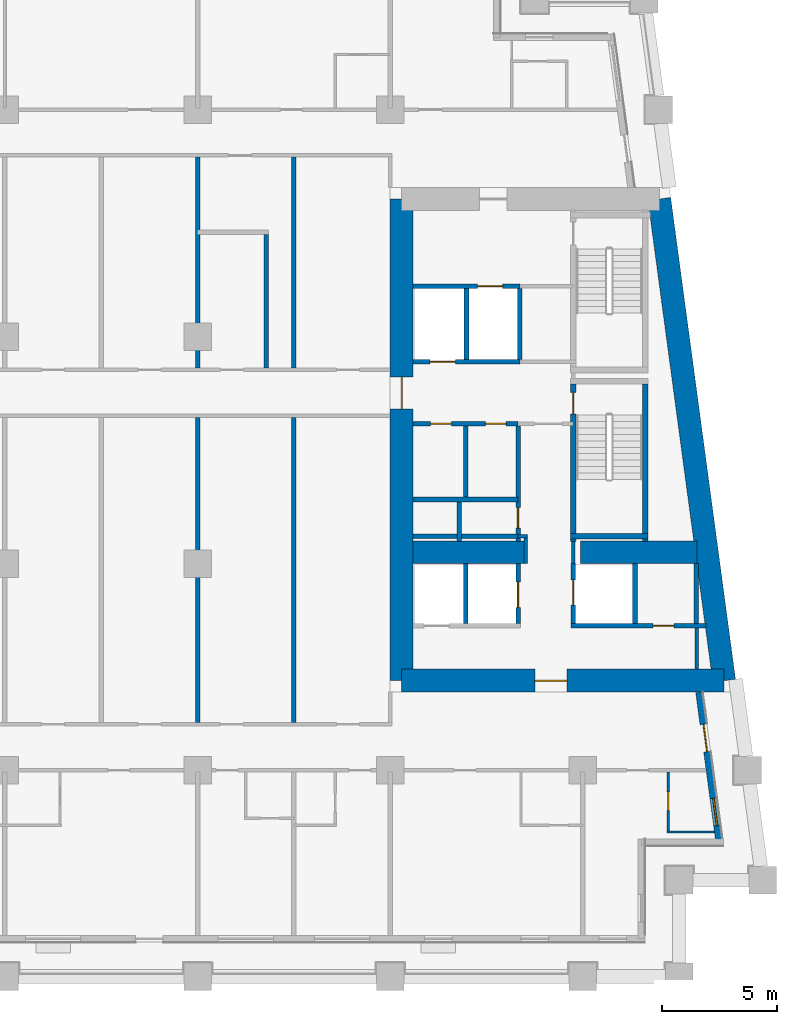
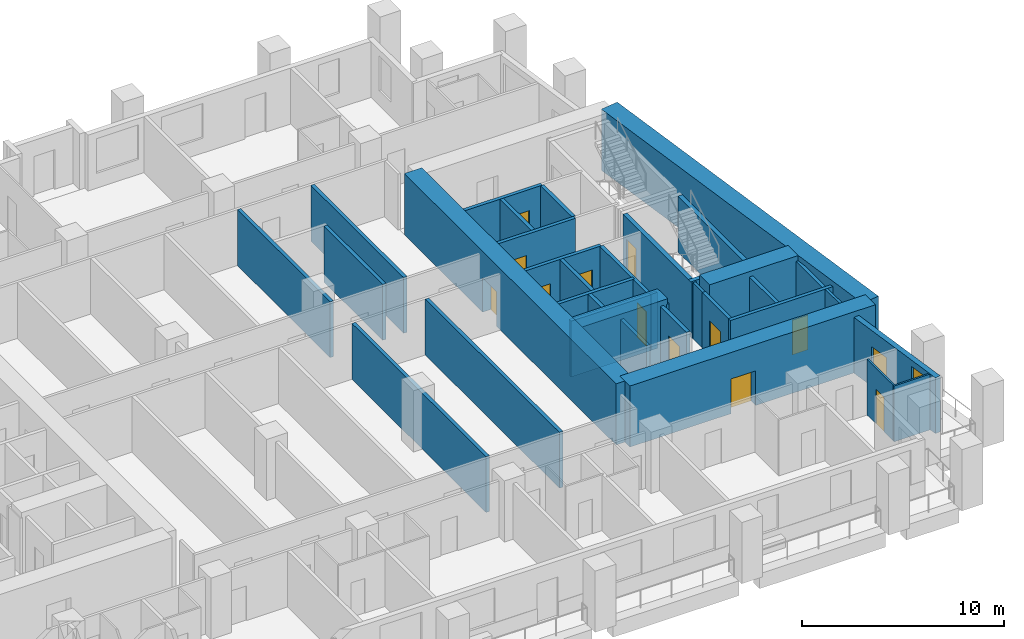
# One storey, part 5 of 13: 36 walls, 13 doors, 1 window, 14 openings.
"""IFC4 building model written with IfcOpenShell, lengths in metres."""

from ifc_helpers import new_model, si_unit, direction, frame, frame_2d, origin, place, context, subcontext, project, spatial, rectangle, extrude, material, layer, layer_set, type_object, element, fill, save


model = new_model("IFC4")

# Units and contexts
model_context = context("Model", 3, precision=1e-05, world=origin(), true_north=direction((0.0, 1.0)))
body_context = subcontext(model_context, "Body", "Model", "MODEL_VIEW")
ifc_project = project(units=[si_unit("LENGTHUNIT", "METRE"), si_unit("AREAUNIT", "SQUARE_METRE"), si_unit("VOLUMEUNIT", "CUBIC_METRE"), si_unit("PLANEANGLEUNIT", "RADIAN"), si_unit("MASSUNIT", "GRAM", prefix="KILO")], contexts=[model_context])

# Site, building, storey
site_placement = place(None, origin())
site = spatial("IfcSite", under=ifc_project, at=site_placement, CompositionType="ELEMENT")
building_placement = place(site_placement, origin())
building = spatial("IfcBuilding", under=site, at=building_placement, Name="Candeia Pilgrim Tower and Theatre", CompositionType="ELEMENT")
storey_placement = place(building_placement, frame((0.0, 0.0, 98.39990234375)))
storey = spatial("IfcBuildingStorey", under=building, at=storey_placement, Name="L22", CompositionType="ELEMENT", Elevation=98.39990234375)

# Wall
ifc_material_1 = material(Name="Concrete C70/85", Category="concrete")
ifc_layer_1 = layer(ifc_material_1, 1.0)
ifc_layer_set_1 = layer_set([ifc_layer_1], Name="Core wall 1000 C70/85")
wall_type_1 = type_object("IfcWallType", Name="Core wall 1000 C70/85", PredefinedType="SHEAR", material=ifc_layer_set_1)
wall_1_placement = place(storey_placement, frame((137.73193359375, 131.89990234375, 0.0), z_axis=(0.0, 0.0, 1.0), x_axis=(0.133411141623, -0.991060778808, 0.0)))
element("IfcWall", 1, at=wall_1_placement, inside=storey, type_object=wall_type_1, Name="Core wall E2", PredefinedType="SHEAR", context=body_context, shape_type="SweptSolid", body=[
    extrude(rectangle(XDim=21.189453125, YDim=1.0, at=frame_2d((10.5947265625, 0.0))), origin(), (0.0, 0.0, 1.0), 3.7001953125),
])

# Wall, opening, door
wall_2_placement = place(storey_placement, frame((140.558837890625, 110.89990234375, 0.0), z_axis=(0.0, 0.0, 1.0), x_axis=(-1.0, 0.0, 0.0)))
wall_2 = element("IfcWall", 2, at=wall_2_placement, inside=storey, type_object=wall_type_1, Name="Core wall E3", PredefinedType="SHEAR", context=body_context, shape_type="SweptSolid", body=[
    extrude(rectangle(XDim=14.058837890625, YDim=1.0, at=frame_2d((7.029296875, 0.0))), origin(), (0.0, 0.0, 1.0), 3.7001953125),
])
opening_1_placement = place(wall_2_placement, frame((6.857666015625, 0.0, 0.0)))
opening_1 = element("IfcOpeningElement", 3, at=opening_1_placement, cuts=wall_2, Name="Opening L22-D062", PredefinedType="OPENING", context=body_context, shape_type="SweptSolid", body=[
    extrude(rectangle(XDim=1.39990234375, YDim=2.10009765625, at=frame_2d((0.699951171875, 1.050048828125))), frame((0.0, 0.510009765625, 0.0), z_axis=(0.0, -1.0, 0.0), x_axis=(1.0, 0.0, 0.0)), (0.0, 0.0, 1.0), 1.02001953125),
])
ifc_material_2 = material(Name="Steel fire door set", Category="steel")
door_type_1 = type_object("IfcDoorType", Name="D-1400-FD60", OperationType="NOTDEFINED", PredefinedType="DOOR", material=ifc_material_2)
door_1_placement = place(opening_1_placement, origin())
door_1 = element("IfcDoor", 4, at=door_1_placement, inside=storey, type_object=door_type_1, Name="Door L22-D062", OperationType="SINGLE_SWING_RIGHT", OverallHeight=2.10009765625, OverallWidth=1.39990234375, PredefinedType="DOOR", context=body_context, shape_type="SweptSolid", body=[
    extrude(rectangle(XDim=1.39990234375, YDim=2.10009765625, at=frame_2d((0.699951171875, 1.050048828125))), frame((0.0, 0.02490234375, 0.0), z_axis=(0.0, -1.0, 0.0), x_axis=(1.0, 0.0, 0.0)), (0.0, 0.0, 1.0), 0.050048828125),
])
fill(opening_1, door_1)

wall_3_placement = place(storey_placement, frame((126.5, 110.89990234375, 0.0), z_axis=(0.0, 0.0, 1.0), x_axis=(0.0, 1.0, 0.0)))
wall_3 = element("IfcWall", 5, at=wall_3_placement, inside=storey, type_object=wall_type_1, Name="Core wall E4", PredefinedType="SHEAR", context=body_context, shape_type="SweptSolid", body=[
    extrude(rectangle(XDim=21.0, YDim=1.0, at=frame_2d((10.5, 0.0))), origin(), (0.0, 0.0, 1.0), 3.7001953125),
])
opening_2_placement = place(wall_3_placement, frame((11.85009765625, 0.0, 0.0)))
opening_2 = element("IfcOpeningElement", 6, at=opening_2_placement, cuts=wall_3, Name="Opening L22-D064", PredefinedType="OPENING", context=body_context, shape_type="SweptSolid", body=[
    extrude(rectangle(XDim=1.39990234375, YDim=2.10009765625, at=frame_2d((0.699951171875, 1.050048828125))), frame((0.0, 0.510009765625, 0.0), z_axis=(0.0, -1.0, 0.0), x_axis=(1.0, 0.0, 0.0)), (0.0, 0.0, 1.0), 1.02001953125),
])
door_2_placement = place(opening_2_placement, origin())
door_2 = element("IfcDoor", 7, at=door_2_placement, inside=storey, type_object=door_type_1, Name="Door L22-D064", OperationType="SINGLE_SWING_RIGHT", OverallHeight=2.10009765625, OverallWidth=1.39990234375, PredefinedType="DOOR", context=body_context, shape_type="SweptSolid", body=[
    extrude(rectangle(XDim=1.39990234375, YDim=2.10009765625, at=frame_2d((0.699951171875, 1.050048828125))), frame((0.0, 0.02490234375, 0.0), z_axis=(0.0, -1.0, 0.0), x_axis=(1.0, 0.0, 0.0)), (0.0, 0.0, 1.0), 0.050048828125),
])
fill(opening_2, door_2)

# Walls
wall_4_placement = place(storey_placement, frame((127.0, 116.5, 0.0), z_axis=(0.0, 0.0, 1.0), x_axis=(1.0, 0.0, 0.0)))
element("IfcWall", 8, at=wall_4_placement, inside=storey, type_object=wall_type_1, Name="Core wall E5", PredefinedType="SHEAR", context=body_context, shape_type="SweptSolid", body=[
    extrude(rectangle(XDim=4.89990234375, YDim=1.0, at=frame_2d((2.449951171875, 0.0))), origin(), (0.0, 0.0, 1.0), 3.7001953125),
])
wall_5_placement = place(storey_placement, frame((134.300048828125, 116.5, 0.0), z_axis=(0.0, 0.0, 1.0), x_axis=(1.0, 0.0, 0.0)))
element("IfcWall", 9, at=wall_5_placement, inside=storey, type_object=wall_type_1, Name="Core wall E6", PredefinedType="SHEAR", context=body_context, shape_type="SweptSolid", body=[
    extrude(rectangle(XDim=5.076904296875, YDim=1.0, at=frame_2d((2.53857421875, 0.0))), origin(), (0.0, 0.0, 1.0), 3.7001953125),
])

# Wall, openings, door, window
ifc_material_3 = material(Name="Ceramic block masonry", Category="masonry")
ifc_layer_2 = layer(ifc_material_3, 0.300048828125)
ifc_layer_set_2 = layer_set([ifc_layer_2], Name="EW1 glazing-line wall 300")
wall_type_2 = type_object("IfcWallType", Name="EW1 glazing-line wall 300", PredefinedType="SOLIDWALL", material=ifc_layer_set_2)
wall_6_placement = place(storey_placement, frame((140.34765625, 103.85009765625, 0.0), z_axis=(0.0, 0.0, 1.0), x_axis=(-0.133431549479, 0.991058031401, 0.0)))
wall_6 = element("IfcWall", 10, at=wall_6_placement, inside=storey, type_object=wall_type_2, Name="External wall L22-3.0", PredefinedType="SOLIDWALL", context=body_context, shape_type="SweptSolid", body=[
    extrude(rectangle(XDim=6.60888671875, YDim=0.300048828125, at=frame_2d((3.304443359375, 0.0))), origin(), (0.0, 0.0, 1.0), 3.380126953125),
])
opening_3_placement = place(wall_6_placement, frame((0.736572265625, 0.0, 0.89990234375)))
opening_3 = element("IfcOpeningElement", 11, at=opening_3_placement, cuts=wall_6, Name="Opening W-B", PredefinedType="OPENING", context=body_context, shape_type="SweptSolid", body=[
    extrude(rectangle(XDim=1.199951171875, YDim=2.10009765625, at=frame_2d((0.60009765625, 1.050048828125))), frame((0.0, 0.16015625, 0.0), z_axis=(0.0, -1.0, 0.0), x_axis=(1.0, 0.0, 0.0)), (0.0, 0.0, 1.0), 0.320068359375),
])
opening_4_placement = place(wall_6_placement, frame((3.990966796875, 0.0, 0.0)))
opening_4 = element("IfcOpeningElement", 12, at=opening_4_placement, cuts=wall_6, Name="Opening L22-ED226", PredefinedType="OPENING", context=body_context, shape_type="SweptSolid", body=[
    extrude(rectangle(XDim=1.199951171875, YDim=2.39990234375, at=frame_2d((0.60009765625, 1.199951171875))), frame((0.0, 0.16015625, 0.0), z_axis=(0.0, -1.0, 0.0), x_axis=(1.0, 0.0, 0.0)), (0.0, 0.0, 1.0), 0.320068359375),
])
ifc_material_4 = material(Name="Aluminium framed glazed door", Category="aluminium")
door_type_2 = type_object("IfcDoorType", Name="Loggia door 1200x2400", OperationType="DOUBLE_DOOR_SINGLE_SWING", PredefinedType="DOOR", material=ifc_material_4)
door_3_placement = place(opening_4_placement, origin())
door_3 = element("IfcDoor", 13, at=door_3_placement, inside=storey, type_object=door_type_2, Name="Loggia door L22-ED226", OperationType="DOUBLE_DOOR_SINGLE_SWING", OverallHeight=2.39990234375, OverallWidth=1.199951171875, PredefinedType="DOOR", context=body_context, shape_type="SweptSolid", body=[
    extrude(rectangle(XDim=1.199951171875, YDim=2.39990234375, at=frame_2d((0.60009765625, 1.199951171875))), frame((0.0, 0.02490234375, 0.0), z_axis=(0.0, -1.0, 0.0), x_axis=(1.0, 0.0, 0.0)), (0.0, 0.0, 1.0), 0.050048828125),
])
fill(opening_4, door_3)
ifc_material_5 = material(Name="Aluminium framed double glazing", Category="aluminium")
window_type = type_object("IfcWindowType", Name="W-B window 1200x2100", PartitioningType="SINGLE_PANEL", PredefinedType="WINDOW", material=ifc_material_5)
window_placement = place(opening_3_placement, origin())
window = element("IfcWindow", 14, at=window_placement, inside=storey, type_object=window_type, Name="Window W-B L22", OverallHeight=2.10009765625, OverallWidth=1.199951171875, PartitioningType="SINGLE_PANEL", PredefinedType="WINDOW", context=body_context, shape_type="SweptSolid", body=[
    extrude(rectangle(XDim=1.199951171875, YDim=2.10009765625, at=frame_2d((0.60009765625, 1.050048828125))), frame((0.0, 0.030029296875, 0.0), z_axis=(0.0, -1.0, 0.0), x_axis=(1.0, 0.0, 0.0)), (0.0, 0.0, 1.0), 0.06005859375),
])
fill(opening_3, window)

# Wall
ifc_material_6 = material(Name="Gypsum board partition on steel studs", Category="steel")
ifc_layer_3 = layer(ifc_material_6, 0.10009765625)
ifc_layer_set_3 = layer_set([ifc_layer_3], Name="PW-100 room partition")
wall_type_3 = type_object("IfcWallType", Name="PW-100 room partition", PredefinedType="PARTITIONING", material=ifc_layer_set_3)
wall_7_placement = place(storey_placement, frame((138.070068359375, 104.300048828125, 0.0), z_axis=(0.0, 0.0, 1.0), x_axis=(1.0, 0.0, 0.0)))
element("IfcWall", 15, at=wall_7_placement, inside=storey, type_object=wall_type_3, Name="Room partition L22-002", PredefinedType="PARTITIONING", context=body_context, shape_type="SweptSolid", body=[
    extrude(rectangle(XDim=2.07568359375, YDim=0.10009765625, at=frame_2d((1.037841796875, 0.0))), origin(), (0.0, 0.0, 1.0), 3.380126953125),
])

# Wall, opening, door
wall_8_placement = place(storey_placement, frame((138.1201171875, 104.35009765625, 0.0), z_axis=(0.0, 0.0, 1.0), x_axis=(0.0, 1.0, 0.0)))
wall_8 = element("IfcWall", 16, at=wall_8_placement, inside=storey, type_object=wall_type_3, Name="Room partition L22-123", PredefinedType="PARTITIONING", context=body_context, shape_type="SweptSolid", body=[
    extrude(rectangle(XDim=2.574951171875, YDim=0.10009765625, at=frame_2d((1.28759765625, 0.0))), origin(), (0.0, 0.0, 1.0), 3.380126953125),
])
opening_5_placement = place(wall_8_placement, frame((0.89990234375, 0.0, 0.0)))
opening_5 = element("IfcOpeningElement", 17, at=opening_5_placement, cuts=wall_8, Name="Opening L22-D033", PredefinedType="OPENING", context=body_context, shape_type="SweptSolid", body=[
    extrude(rectangle(XDim=0.800048828125, YDim=2.10009765625, at=frame_2d((0.39990234375, 1.050048828125))), frame((0.0, 0.06005859375, 0.0), z_axis=(0.0, -1.0, 0.0), x_axis=(1.0, 0.0, 0.0)), (0.0, 0.0, 1.0), 0.1201171875),
])
ifc_material_7 = material(Name="Timber door leaf", Category="wood")
door_type_3 = type_object("IfcDoorType", Name="D-800", OperationType="NOTDEFINED", PredefinedType="DOOR", material=ifc_material_7)
door_4_placement = place(opening_5_placement, origin())
door_4 = element("IfcDoor", 18, at=door_4_placement, inside=storey, type_object=door_type_3, Name="Door L22-D033", OperationType="SINGLE_SWING_LEFT", OverallHeight=2.10009765625, OverallWidth=0.800048828125, PredefinedType="DOOR", context=body_context, shape_type="SweptSolid", body=[
    extrude(rectangle(XDim=0.800048828125, YDim=2.10009765625, at=frame_2d((0.39990234375, 1.050048828125))), frame((0.0, 0.02490234375, 0.0), z_axis=(0.0, -1.0, 0.0), x_axis=(1.0, 0.0, 0.0)), (0.0, 0.0, 1.0), 0.050048828125),
])
fill(opening_5, door_4)

# Walls
ifc_layer_4 = layer(ifc_material_6, 0.14990234375)
ifc_layer_set_4 = layer_set([ifc_layer_4], Name="PW-150 lobby wall")
wall_type_4 = type_object("IfcWallType", Name="PW-150 lobby wall", PredefinedType="PARTITIONING", material=ifc_layer_set_4)
wall_9_placement = place(storey_placement, frame((131.572998046875, 117.199951171875, 0.0), z_axis=(0.0, 0.0, 1.0), x_axis=(1.0, 0.0, 0.0)))
element("IfcWall", 19, at=wall_9_placement, inside=storey, type_object=wall_type_4, Name="Lobby wall L22-018", PredefinedType="PARTITIONING", context=body_context, shape_type="SweptSolid", body=[
    extrude(rectangle(XDim=0.402099609375, YDim=0.14990234375, at=frame_2d((0.201171875, 0.0))), origin(), (0.0, 0.0, 1.0), 3.380126953125),
])
wall_10_placement = place(storey_placement, frame((131.89990234375, 116.0, 0.0), z_axis=(0.0, 0.0, 1.0), x_axis=(0.0, 1.0, 0.0)))
element("IfcWall", 20, at=wall_10_placement, inside=storey, type_object=wall_type_4, Name="Lobby wall L22-112", PredefinedType="PARTITIONING", context=body_context, shape_type="SweptSolid", body=[
    extrude(rectangle(XDim=1.125, YDim=0.14990234375, at=frame_2d((0.5625, 0.0))), origin(), (0.0, 0.0, 1.0), 3.380126953125),
])
wall_11_placement = place(storey_placement, frame((133.972900390625, 116.0, 0.0), z_axis=(0.0, 0.0, 1.0), x_axis=(0.0, 1.0, 0.0)))
element("IfcWall", 21, at=wall_11_placement, inside=storey, type_object=wall_type_4, Name="Lobby wall L22-115", PredefinedType="PARTITIONING", context=body_context, shape_type="SweptSolid", body=[
    extrude(rectangle(XDim=0.969970703125, YDim=0.14990234375, at=frame_2d((0.48486328125, 0.0))), origin(), (0.0, 0.0, 1.0), 3.380126953125),
])
wall_12_placement = place(storey_placement, frame((139.37109375, 111.39990234375, 0.0), z_axis=(0.0, 0.0, 1.0), x_axis=(0.0, 1.0, 0.0)))
element("IfcWall", 22, at=wall_12_placement, inside=storey, type_object=wall_type_4, Name="Lobby wall L22-125", PredefinedType="PARTITIONING", context=body_context, shape_type="SweptSolid", body=[
    extrude(rectangle(XDim=1.800048828125, YDim=0.14990234375, at=frame_2d((0.89990234375, 0.0))), origin(), (0.0, 0.0, 1.0), 3.380126953125),
])
ifc_layer_5 = layer(ifc_material_6, 0.199951171875)
ifc_layer_set_5 = layer_set([ifc_layer_5], Name="PW-200 party wall")
wall_type_5 = type_object("IfcWallType", Name="PW-200 party wall", PredefinedType="PARTITIONING", material=ifc_layer_set_5)
wall_13_placement = place(storey_placement, frame((117.60009765625, 109.074951171875, 0.0), z_axis=(0.0, 0.0, 1.0), x_axis=(0.0, 1.0, 0.0)))
element("IfcWall", 23, at=wall_13_placement, inside=storey, type_object=wall_type_5, Name="Party wall L22-089", PredefinedType="PARTITIONING", context=body_context, shape_type="SweptSolid", body=[
    extrude(rectangle(XDim=13.300048828125, YDim=0.199951171875, at=frame_2d((6.64990234375, 0.0))), origin(), (0.0, 0.0, 1.0), 3.380126953125),
])
wall_14_placement = place(storey_placement, frame((117.60009765625, 124.52490234375, 0.0), z_axis=(0.0, 0.0, 1.0), x_axis=(0.0, 1.0, 0.0)))
element("IfcWall", 24, at=wall_14_placement, inside=storey, type_object=wall_type_5, Name="Party wall L22-090", PredefinedType="PARTITIONING", context=body_context, shape_type="SweptSolid", body=[
    extrude(rectangle(XDim=9.2001953125, YDim=0.199951171875, at=frame_2d((4.60009765625, 0.0))), origin(), (0.0, 0.0, 1.0), 3.380126953125),
])
wall_15_placement = place(storey_placement, frame((120.60009765625, 124.52490234375, 0.0), z_axis=(0.0, 0.0, 1.0), x_axis=(0.0, 1.0, 0.0)))
element("IfcWall", 25, at=wall_15_placement, inside=storey, type_object=wall_type_5, Name="Party wall L22-093", PredefinedType="PARTITIONING", context=body_context, shape_type="SweptSolid", body=[
    extrude(rectangle(XDim=5.8251953125, YDim=0.199951171875, at=frame_2d((2.91259765625, 0.0))), origin(), (0.0, 0.0, 1.0), 3.380126953125),
])
wall_16_placement = place(storey_placement, frame((121.800048828125, 109.074951171875, 0.0), z_axis=(0.0, 0.0, 1.0), x_axis=(0.0, 1.0, 0.0)))
element("IfcWall", 26, at=wall_16_placement, inside=storey, type_object=wall_type_5, Name="Party wall L22-095", PredefinedType="PARTITIONING", context=body_context, shape_type="SweptSolid", body=[
    extrude(rectangle(XDim=13.300048828125, YDim=0.199951171875, at=frame_2d((6.64990234375, 0.0))), origin(), (0.0, 0.0, 1.0), 3.380126953125),
])
wall_17_placement = place(storey_placement, frame((121.800048828125, 124.52490234375, 0.0), z_axis=(0.0, 0.0, 1.0), x_axis=(0.0, 1.0, 0.0)))
element("IfcWall", 27, at=wall_17_placement, inside=storey, type_object=wall_type_5, Name="Party wall L22-096", PredefinedType="PARTITIONING", context=body_context, shape_type="SweptSolid", body=[
    extrude(rectangle(XDim=9.2001953125, YDim=0.199951171875, at=frame_2d((4.60009765625, 0.0))), origin(), (0.0, 0.0, 1.0), 3.380126953125),
])

# Wall, opening, door
ifc_material_8 = material(Name="Concrete C40/50", Category="concrete")
ifc_layer_6 = layer(ifc_material_8, 0.199951171875)
ifc_layer_set_6 = layer_set([ifc_layer_6], Name="SW-200 shaft wall")
wall_type_6 = type_object("IfcWallType", Name="SW-200 shaft wall", PredefinedType="PARTITIONING", material=ifc_layer_set_6)
wall_18_placement = place(storey_placement, frame((133.873046875, 113.300048828125, 0.0), z_axis=(0.0, 0.0, 1.0), x_axis=(1.0, 0.0, 0.0)))
wall_18 = element("IfcWall", 28, at=wall_18_placement, inside=storey, type_object=wall_type_6, Name="Shaft wall L22-014", PredefinedType="PARTITIONING", context=body_context, shape_type="SweptSolid", body=[
    extrude(rectangle(XDim=5.888427734375, YDim=0.199951171875, at=frame_2d((2.9443359375, 0.0))), origin(), (0.0, 0.0, 1.0), 3.380126953125),
])
opening_6_placement = place(wall_18_placement, frame((3.589111328125, 0.0, 0.0)))
opening_6 = element("IfcOpeningElement", 29, at=opening_6_placement, cuts=wall_18, Name="Opening L22-D015", PredefinedType="OPENING", context=body_context, shape_type="SweptSolid", body=[
    extrude(rectangle(XDim=0.89990234375, YDim=2.10009765625, at=frame_2d((0.449951171875, 1.050048828125))), frame((0.0, 0.10986328125, 0.0), z_axis=(0.0, -1.0, 0.0), x_axis=(1.0, 0.0, 0.0)), (0.0, 0.0, 1.0), 0.219970703125),
])
door_type_4 = type_object("IfcDoorType", Name="D-900-FD60", OperationType="NOTDEFINED", PredefinedType="DOOR", material=ifc_material_2)
door_5_placement = place(opening_6_placement, origin())
door_5 = element("IfcDoor", 30, at=door_5_placement, inside=storey, type_object=door_type_4, Name="Door L22-D015", OperationType="SINGLE_SWING_LEFT", OverallHeight=2.10009765625, OverallWidth=0.89990234375, PredefinedType="DOOR", context=body_context, shape_type="SweptSolid", body=[
    extrude(rectangle(XDim=0.89990234375, YDim=2.10009765625, at=frame_2d((0.449951171875, 1.050048828125))), frame((0.0, 0.02490234375, 0.0), z_axis=(0.0, -1.0, 0.0), x_axis=(1.0, 0.0, 0.0)), (0.0, 0.0, 1.0), 0.050048828125),
])
fill(opening_6, door_5)

# Walls
for number, where, z_axis, x_axis, name in (
    (31, (127.0, 117.199951171875, 0.0), (0.0, 0.0, 1.0), (1.0, 0.0, 0.0), "Shaft wall L22-016"),
    (32, (127.0, 118.800048828125, 0.0), (0.0, 0.0, 1.0), (1.0, 0.0, 0.0), "Shaft wall L22-022"),
):
    element("IfcWall", number, at=place(storey_placement, frame(where, z_axis=z_axis, x_axis=x_axis)), inside=storey, type_object=wall_type_6, Name=name, PredefinedType="PARTITIONING", context=body_context, shape_type="SweptSolid", body=[
        extrude(rectangle(XDim=4.572998046875, YDim=0.199951171875, at=frame_2d((2.28662109375, 0.0))), origin(), (0.0, 0.0, 1.0), 3.380126953125),
    ])

# Wall, openings, doors
wall_19_placement = place(storey_placement, frame((127.0, 122.10009765625, 0.0), z_axis=(0.0, 0.0, 1.0), x_axis=(1.0, 0.0, 0.0)))
wall_19 = element("IfcWall", 33, at=wall_19_placement, inside=storey, type_object=wall_type_6, Name="Shaft wall L22-024", PredefinedType="PARTITIONING", context=body_context, shape_type="SweptSolid", body=[
    extrude(rectangle(XDim=4.572998046875, YDim=0.199951171875, at=frame_2d((2.28662109375, 0.0))), origin(), (0.0, 0.0, 1.0), 3.380126953125),
])
opening_7_placement = place(wall_19_placement, frame((3.15087890625, 0.0, 0.0)))
opening_7 = element("IfcOpeningElement", 34, at=opening_7_placement, cuts=wall_19, Name="Opening L22-D010", PredefinedType="OPENING", context=body_context, shape_type="SweptSolid", body=[
    extrude(rectangle(XDim=0.89990234375, YDim=2.10009765625, at=frame_2d((0.449951171875, 1.050048828125))), frame((0.0, 0.10986328125, 0.0), z_axis=(0.0, -1.0, 0.0), x_axis=(1.0, 0.0, 0.0)), (0.0, 0.0, 1.0), 0.219970703125),
])
opening_8_placement = place(wall_19_placement, frame((0.761962890625, 0.0, 0.0)))
opening_8 = element("IfcOpeningElement", 35, at=opening_8_placement, cuts=wall_19, Name="Opening L22-D011", PredefinedType="OPENING", context=body_context, shape_type="SweptSolid", body=[
    extrude(rectangle(XDim=0.89990234375, YDim=2.10009765625, at=frame_2d((0.449951171875, 1.050048828125))), frame((0.0, 0.10986328125, 0.0), z_axis=(0.0, -1.0, 0.0), x_axis=(1.0, 0.0, 0.0)), (0.0, 0.0, 1.0), 0.219970703125),
])
door_6_placement = place(opening_7_placement, origin())
door_6 = element("IfcDoor", 36, at=door_6_placement, inside=storey, type_object=door_type_4, Name="Door L22-D010", OperationType="SINGLE_SWING_LEFT", OverallHeight=2.10009765625, OverallWidth=0.89990234375, PredefinedType="DOOR", context=body_context, shape_type="SweptSolid", body=[
    extrude(rectangle(XDim=0.89990234375, YDim=2.10009765625, at=frame_2d((0.449951171875, 1.050048828125))), frame((0.0, 0.02490234375, 0.0), z_axis=(0.0, -1.0, 0.0), x_axis=(1.0, 0.0, 0.0)), (0.0, 0.0, 1.0), 0.050048828125),
])
fill(opening_7, door_6)
door_7_placement = place(opening_8_placement, origin())
door_7 = element("IfcDoor", 37, at=door_7_placement, inside=storey, type_object=door_type_4, Name="Door L22-D011", OperationType="SINGLE_SWING_RIGHT", OverallHeight=2.10009765625, OverallWidth=0.89990234375, PredefinedType="DOOR", context=body_context, shape_type="SweptSolid", body=[
    extrude(rectangle(XDim=0.89990234375, YDim=2.10009765625, at=frame_2d((0.449951171875, 1.050048828125))), frame((0.0, 0.02490234375, 0.0), z_axis=(0.0, -1.0, 0.0), x_axis=(1.0, 0.0, 0.0)), (0.0, 0.0, 1.0), 0.050048828125),
])
fill(opening_8, door_7)

# Wall, opening, door
wall_20_placement = place(storey_placement, frame((127.0, 124.800048828125, 0.0), z_axis=(0.0, 0.0, 1.0), x_axis=(1.0, 0.0, 0.0)))
wall_20 = element("IfcWall", 38, at=wall_20_placement, inside=storey, type_object=wall_type_6, Name="Shaft wall L22-034", PredefinedType="PARTITIONING", context=body_context, shape_type="SweptSolid", body=[
    extrude(rectangle(XDim=4.648681640625, YDim=0.199951171875, at=frame_2d((2.32421875, 0.0))), origin(), (0.0, 0.0, 1.0), 3.380126953125),
])
opening_9_placement = place(wall_20_placement, frame((0.742919921875, 0.0, 0.0)))
opening_9 = element("IfcOpeningElement", 39, at=opening_9_placement, cuts=wall_20, Name="Opening L22-LD05", PredefinedType="OPENING", context=body_context, shape_type="SweptSolid", body=[
    extrude(rectangle(XDim=1.10009765625, YDim=2.10009765625, at=frame_2d((0.550048828125, 1.050048828125))), frame((0.0, 0.10986328125, 0.0), z_axis=(0.0, -1.0, 0.0), x_axis=(1.0, 0.0, 0.0)), (0.0, 0.0, 1.0), 0.219970703125),
])
ifc_material_9 = material(Name="Glazed aluminium landing door", Category="aluminium")
door_type_5 = type_object("IfcDoorType", Name="LD-1100-EI120", OperationType="SLIDING_TO_LEFT", PredefinedType="DOOR", material=ifc_material_9)
door_8_placement = place(opening_9_placement, origin())
door_8 = element("IfcDoor", 40, at=door_8_placement, inside=storey, type_object=door_type_5, Name="Landing door 05 L22", OperationType="SLIDING_TO_LEFT", OverallHeight=2.10009765625, OverallWidth=1.10009765625, PredefinedType="DOOR", context=body_context, shape_type="SweptSolid", body=[
    extrude(rectangle(XDim=1.10009765625, YDim=2.10009765625, at=frame_2d((0.550048828125, 1.050048828125))), frame((0.0, 0.02490234375, 0.0), z_axis=(0.0, -1.0, 0.0), x_axis=(1.0, 0.0, 0.0)), (0.0, 0.0, 1.0), 0.050048828125),
])
fill(opening_9, door_8)

wall_21_placement = place(storey_placement, frame((127.0, 128.10009765625, 0.0), z_axis=(0.0, 0.0, 1.0), x_axis=(1.0, 0.0, 0.0)))
wall_21 = element("IfcWall", 41, at=wall_21_placement, inside=storey, type_object=wall_type_6, Name="Shaft wall L22-037", PredefinedType="PARTITIONING", context=body_context, shape_type="SweptSolid", body=[
    extrude(rectangle(XDim=4.648681640625, YDim=0.199951171875, at=frame_2d((2.32421875, 0.0))), origin(), (0.0, 0.0, 1.0), 3.380126953125),
])
opening_10_placement = place(wall_21_placement, frame((2.804931640625, 0.0, 0.0)))
opening_10 = element("IfcOpeningElement", 42, at=opening_10_placement, cuts=wall_21, Name="Opening L22-LD04", PredefinedType="OPENING", context=body_context, shape_type="SweptSolid", body=[
    extrude(rectangle(XDim=1.10009765625, YDim=2.10009765625, at=frame_2d((0.550048828125, 1.050048828125))), frame((0.0, 0.10986328125, 0.0), z_axis=(0.0, -1.0, 0.0), x_axis=(1.0, 0.0, 0.0)), (0.0, 0.0, 1.0), 0.219970703125),
])
door_9_placement = place(opening_10_placement, origin())
door_9 = element("IfcDoor", 43, at=door_9_placement, inside=storey, type_object=door_type_5, Name="Landing door 04 L22", OperationType="SLIDING_TO_LEFT", OverallHeight=2.10009765625, OverallWidth=1.10009765625, PredefinedType="DOOR", context=body_context, shape_type="SweptSolid", body=[
    extrude(rectangle(XDim=1.10009765625, YDim=2.10009765625, at=frame_2d((0.550048828125, 1.050048828125))), frame((0.0, 0.02490234375, 0.0), z_axis=(0.0, -1.0, 0.0), x_axis=(1.0, 0.0, 0.0)), (0.0, 0.0, 1.0), 0.050048828125),
])
fill(opening_10, door_9)

# Walls
wall_22_placement = place(storey_placement, frame((129.0, 116.969970703125, 0.0), z_axis=(0.0, 0.0, 1.0), x_axis=(0.0, 1.0, 0.0)))
element("IfcWall", 44, at=wall_22_placement, inside=storey, type_object=wall_type_6, Name="Shaft wall L22-103", PredefinedType="PARTITIONING", context=body_context, shape_type="SweptSolid", body=[
    extrude(rectangle(XDim=1.72998046875, YDim=0.199951171875, at=frame_2d((0.864990234375, 0.0))), origin(), (0.0, 0.0, 1.0), 3.380126953125),
])
wall_23_placement = place(storey_placement, frame((129.28662109375, 113.39990234375, 0.0), z_axis=(0.0, 0.0, 1.0), x_axis=(0.0, 1.0, 0.0)))
element("IfcWall", 45, at=wall_23_placement, inside=storey, type_object=wall_type_6, Name="Shaft wall L22-104", PredefinedType="PARTITIONING", context=body_context, shape_type="SweptSolid", body=[
    extrude(rectangle(XDim=2.60009765625, YDim=0.199951171875, at=frame_2d((1.300048828125, 0.0))), origin(), (0.0, 0.0, 1.0), 3.380126953125),
])
for number, where, z_axis, x_axis, name in (
    (46, (129.28662109375, 118.89990234375, 0.0), (0.0, 0.0, 1.0), (0.0, 1.0, 0.0), "Shaft wall L22-105"),
    (47, (129.32421875, 124.89990234375, 0.0), (0.0, 0.0, 1.0), (0.0, 1.0, 0.0), "Shaft wall L22-106"),
):
    element("IfcWall", number, at=place(storey_placement, frame(where, z_axis=z_axis, x_axis=x_axis)), inside=storey, type_object=wall_type_6, Name=name, PredefinedType="PARTITIONING", context=body_context, shape_type="SweptSolid", body=[
        extrude(rectangle(XDim=3.10009765625, YDim=0.199951171875, at=frame_2d((1.550048828125, 0.0))), origin(), (0.0, 0.0, 1.0), 3.380126953125),
    ])

# Wall, opening, door
wall_24_placement = place(storey_placement, frame((131.572998046875, 113.39990234375, 0.0), z_axis=(0.0, 0.0, 1.0), x_axis=(0.0, 1.0, 0.0)))
wall_24 = element("IfcWall", 48, at=wall_24_placement, inside=storey, type_object=wall_type_6, Name="Shaft wall L22-108", PredefinedType="PARTITIONING", context=body_context, shape_type="SweptSolid", body=[
    extrude(rectangle(XDim=2.60009765625, YDim=0.199951171875, at=frame_2d((1.300048828125, 0.0))), origin(), (0.0, 0.0, 1.0), 3.380126953125),
])
opening_11_placement = place(wall_24_placement, frame((0.699951171875, 0.0, 0.0)))
opening_11 = element("IfcOpeningElement", 49, at=opening_11_placement, cuts=wall_24, Name="Opening L22-LD07", PredefinedType="OPENING", context=body_context, shape_type="SweptSolid", body=[
    extrude(rectangle(XDim=1.10009765625, YDim=2.10009765625, at=frame_2d((0.550048828125, 1.050048828125))), frame((0.0, 0.10986328125, 0.0), z_axis=(0.0, -1.0, 0.0), x_axis=(1.0, 0.0, 0.0)), (0.0, 0.0, 1.0), 0.219970703125),
])
door_10_placement = place(opening_11_placement, origin())
door_10 = element("IfcDoor", 50, at=door_10_placement, inside=storey, type_object=door_type_5, Name="Landing door 07 L22", OperationType="SLIDING_TO_LEFT", OverallHeight=2.10009765625, OverallWidth=1.10009765625, PredefinedType="DOOR", context=body_context, shape_type="SweptSolid", body=[
    extrude(rectangle(XDim=1.10009765625, YDim=2.10009765625, at=frame_2d((0.550048828125, 1.050048828125))), frame((0.0, 0.02490234375, 0.0), z_axis=(0.0, -1.0, 0.0), x_axis=(1.0, 0.0, 0.0)), (0.0, 0.0, 1.0), 0.050048828125),
])
fill(opening_11, door_10)

wall_25_placement = place(storey_placement, frame((131.572998046875, 116.969970703125, 0.0), z_axis=(0.0, 0.0, 1.0), x_axis=(0.0, 1.0, 0.0)))
wall_25 = element("IfcWall", 51, at=wall_25_placement, inside=storey, type_object=wall_type_6, Name="Shaft wall L22-109", PredefinedType="PARTITIONING", context=body_context, shape_type="SweptSolid", body=[
    extrude(rectangle(XDim=5.030029296875, YDim=0.199951171875, at=frame_2d((2.51513671875, 0.0))), origin(), (0.0, 0.0, 1.0), 3.380126953125),
])
opening_12_placement = place(wall_25_placement, frame((0.580078125, 0.0, 0.0)))
opening_12 = element("IfcOpeningElement", 52, at=opening_12_placement, cuts=wall_25, Name="Opening L22-D014", PredefinedType="OPENING", context=body_context, shape_type="SweptSolid", body=[
    extrude(rectangle(XDim=0.89990234375, YDim=2.10009765625, at=frame_2d((0.449951171875, 1.050048828125))), frame((0.0, 0.10986328125, 0.0), z_axis=(0.0, -1.0, 0.0), x_axis=(1.0, 0.0, 0.0)), (0.0, 0.0, 1.0), 0.219970703125),
])
door_11_placement = place(opening_12_placement, origin())
door_11 = element("IfcDoor", 53, at=door_11_placement, inside=storey, type_object=door_type_4, Name="Door L22-D014", OperationType="SINGLE_SWING_LEFT", OverallHeight=2.10009765625, OverallWidth=0.89990234375, PredefinedType="DOOR", context=body_context, shape_type="SweptSolid", body=[
    extrude(rectangle(XDim=0.89990234375, YDim=2.10009765625, at=frame_2d((0.449951171875, 1.050048828125))), frame((0.0, 0.02490234375, 0.0), z_axis=(0.0, -1.0, 0.0), x_axis=(1.0, 0.0, 0.0)), (0.0, 0.0, 1.0), 0.050048828125),
])
fill(opening_12, door_11)

# Wall
wall_26_placement = place(storey_placement, frame((131.648681640625, 124.89990234375, 0.0), z_axis=(0.0, 0.0, 1.0), x_axis=(0.0, 1.0, 0.0)))
element("IfcWall", 54, at=wall_26_placement, inside=storey, type_object=wall_type_6, Name="Shaft wall L22-110", PredefinedType="PARTITIONING", context=body_context, shape_type="SweptSolid", body=[
    extrude(rectangle(XDim=3.10009765625, YDim=0.199951171875, at=frame_2d((1.550048828125, 0.0))), origin(), (0.0, 0.0, 1.0), 3.380126953125),
])

# Wall, opening, door
wall_27_placement = place(storey_placement, frame((133.972900390625, 113.39990234375, 0.0), z_axis=(0.0, 0.0, 1.0), x_axis=(0.0, 1.0, 0.0)))
wall_27 = element("IfcWall", 55, at=wall_27_placement, inside=storey, type_object=wall_type_6, Name="Shaft wall L22-114", PredefinedType="PARTITIONING", context=body_context, shape_type="SweptSolid", body=[
    extrude(rectangle(XDim=2.60009765625, YDim=0.199951171875, at=frame_2d((1.300048828125, 0.0))), origin(), (0.0, 0.0, 1.0), 3.380126953125),
])
opening_13_placement = place(wall_27_placement, frame((0.7900390625, 0.0, 0.0)))
opening_13 = element("IfcOpeningElement", 56, at=opening_13_placement, cuts=wall_27, Name="Opening L22-LD06", PredefinedType="OPENING", context=body_context, shape_type="SweptSolid", body=[
    extrude(rectangle(XDim=1.10009765625, YDim=2.10009765625, at=frame_2d((0.550048828125, 1.050048828125))), frame((0.0, 0.10986328125, 0.0), z_axis=(0.0, -1.0, 0.0), x_axis=(1.0, 0.0, 0.0)), (0.0, 0.0, 1.0), 0.219970703125),
])
door_12_placement = place(opening_13_placement, origin())
door_12 = element("IfcDoor", 57, at=door_12_placement, inside=storey, type_object=door_type_5, Name="Landing door 06 L22", OperationType="SLIDING_TO_LEFT", OverallHeight=2.10009765625, OverallWidth=1.10009765625, PredefinedType="DOOR", context=body_context, shape_type="SweptSolid", body=[
    extrude(rectangle(XDim=1.10009765625, YDim=2.10009765625, at=frame_2d((0.550048828125, 1.050048828125))), frame((0.0, 0.02490234375, 0.0), z_axis=(0.0, -1.0, 0.0), x_axis=(1.0, 0.0, 0.0)), (0.0, 0.0, 1.0), 0.050048828125),
])
fill(opening_13, door_12)

# Walls
for number, where, z_axis, x_axis, name in (
    (58, (136.672119140625, 113.39990234375, 0.0), (0.0, 0.0, 1.0), (0.0, 1.0, 0.0), "Shaft wall L22-120"),
    (59, (139.348876953125, 113.39990234375, 0.0), (0.0, 0.0, 1.0), (0.0, 1.0, 0.0), "Shaft wall L22-124"),
):
    element("IfcWall", number, at=place(storey_placement, frame(where, z_axis=z_axis, x_axis=x_axis)), inside=storey, type_object=wall_type_6, Name=name, PredefinedType="PARTITIONING", context=body_context, shape_type="SweptSolid", body=[
        extrude(rectangle(XDim=2.60009765625, YDim=0.199951171875, at=frame_2d((1.300048828125, 0.0))), origin(), (0.0, 0.0, 1.0), 3.380126953125),
    ])
ifc_layer_7 = layer(ifc_material_8, 0.25)
ifc_layer_set_7 = layer_set([ifc_layer_7], Name="SW-250 stair wall")
wall_type_7 = type_object("IfcWallType", Name="SW-250 stair wall", PredefinedType="PARTITIONING", material=ifc_layer_set_7)
wall_28_placement = place(storey_placement, frame((133.847900390625, 117.199951171875, 0.0), z_axis=(0.0, 0.0, 1.0), x_axis=(1.0, 0.0, 0.0)))
element("IfcWall", 60, at=wall_28_placement, inside=storey, type_object=wall_type_7, Name="Stair wall L22-020", PredefinedType="PARTITIONING", context=body_context, shape_type="SweptSolid", body=[
    extrude(rectangle(XDim=3.400146484375, YDim=0.25, at=frame_2d((1.7001953125, 0.0))), origin(), (0.0, 0.0, 1.0), 3.380126953125),
])

# Wall, opening, door
wall_29_placement = place(storey_placement, frame((133.972900390625, 116.969970703125, 0.0), z_axis=(0.0, 0.0, 1.0), x_axis=(0.0, 1.0, 0.0)))
wall_29 = element("IfcWall", 61, at=wall_29_placement, inside=storey, type_object=wall_type_7, Name="Stair wall L22-117", PredefinedType="PARTITIONING", context=body_context, shape_type="SweptSolid", body=[
    extrude(rectangle(XDim=6.85498046875, YDim=0.25, at=frame_2d((3.427490234375, 0.0))), origin(), (0.0, 0.0, 1.0), 3.380126953125),
])
opening_14_placement = place(wall_29_placement, frame((5.554931640625, 0.0, 0.0)))
opening_14 = element("IfcOpeningElement", 62, at=opening_14_placement, cuts=wall_29, Name="Opening L22-D012", PredefinedType="OPENING", context=body_context, shape_type="SweptSolid", body=[
    extrude(rectangle(XDim=0.949951171875, YDim=2.10009765625, at=frame_2d((0.47509765625, 1.050048828125))), frame((0.0, 0.135009765625, 0.0), z_axis=(0.0, -1.0, 0.0), x_axis=(1.0, 0.0, 0.0)), (0.0, 0.0, 1.0), 0.27001953125),
])
door_type_6 = type_object("IfcDoorType", Name="D-950-FD60", OperationType="NOTDEFINED", PredefinedType="DOOR", material=ifc_material_2)
door_13_placement = place(opening_14_placement, origin())
door_13 = element("IfcDoor", 63, at=door_13_placement, inside=storey, type_object=door_type_6, Name="Door L22-D012", OperationType="SINGLE_SWING_LEFT", OverallHeight=2.10009765625, OverallWidth=0.949951171875, PredefinedType="DOOR", context=body_context, shape_type="SweptSolid", body=[
    extrude(rectangle(XDim=0.949951171875, YDim=2.10009765625, at=frame_2d((0.47509765625, 1.050048828125))), frame((0.0, 0.02490234375, 0.0), z_axis=(0.0, -1.0, 0.0), x_axis=(1.0, 0.0, 0.0)), (0.0, 0.0, 1.0), 0.050048828125),
])
fill(opening_14, door_13)

# Wall
wall_30_placement = place(storey_placement, frame((137.123046875, 116.969970703125, 0.0), z_axis=(0.0, 0.0, 1.0), x_axis=(0.0, 1.0, 0.0)))
element("IfcWall", 64, at=wall_30_placement, inside=storey, type_object=wall_type_7, Name="Stair wall L22-121", PredefinedType="PARTITIONING", context=body_context, shape_type="SweptSolid", body=[
    extrude(rectangle(XDim=6.85498046875, YDim=0.25, at=frame_2d((3.427490234375, 0.0))), origin(), (0.0, 0.0, 1.0), 3.380126953125),
])

save(model, "model.ifc")
